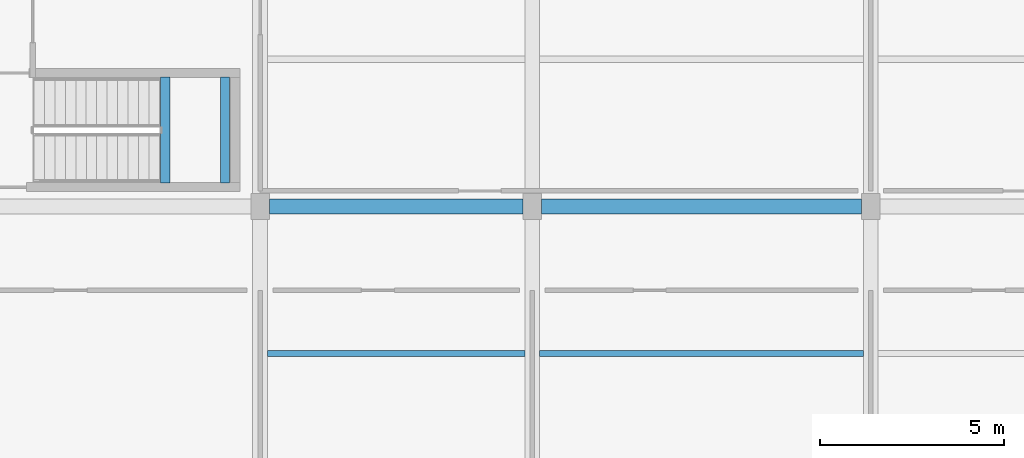
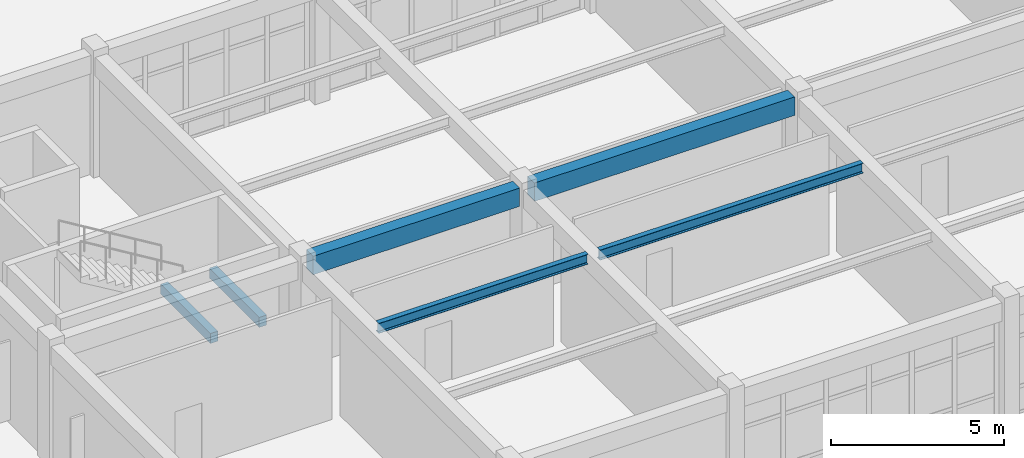
# One storey, part 32 of 154: 6 beams.
"""IFC4 building model written with IfcOpenShell, lengths in metres."""

import ifcopenshell
import ifcopenshell.guid

model = None  # the IFC model being written
_history = None  # IfcOwnerHistory: only IFC2X3 demands one
_inside = {}  # id of a spatial element -> (the spatial element, [elements in it])
_under = {}  # id of a project, library or spatial element -> (it, [spatial elements below it])
_declared = {}  # id of a project -> (the project, [libraries it declares])
_typed = {}  # id of a type object -> (the type object, [elements of that type])
_made_of = {}  # id of a material, layer set ... -> (it, [elements and type objects made of it])


def new_model(schema):
    """Start an empty IFC model of exactly this schema.

    Asked for "IFC4X3", IfcOpenShell would pick the latest addendum, in which some entities
    have other attributes; the version numbers below select the first issue.
    IFC2X3 requires an IfcOwnerHistory on every rooted entity: one is made here for all.
    """
    global model, _history
    if schema == "IFC4X3":
        model = ifcopenshell.file(schema_version=(4, 3, 0, 0))
    else:
        model = ifcopenshell.file(schema=schema)
    _inside.clear()
    _under.clear()
    _declared.clear()
    _typed.clear()
    _made_of.clear()
    _history = None
    if model.schema == "IFC2X3":
        org = make("IfcOrganization", Name="unknown")
        user = make(
            "IfcPersonAndOrganization",
            ThePerson=make("IfcPerson", FamilyName="unknown"),
            TheOrganization=org,
        )
        app = make(
            "IfcApplication",
            ApplicationDeveloper=org,
            Version="unknown",
            ApplicationFullName="unknown",
            ApplicationIdentifier="unknown",
        )
        _history = make(
            "IfcOwnerHistory",
            OwningUser=user,
            OwningApplication=app,
            ChangeAction="ADDED",
            CreationDate=0,
        )
    return model


def make(cls, **values):
    """One entity of the class cls with the attributes given. An attribute that is None is left unset."""
    return model.create_entity(
        cls, **{name: value for name, value in values.items() if value is not None}
    )


def rooted(cls, **values):
    """An entity with a GlobalId (a new one), such as an element, a storey or a relation."""
    return make(cls, GlobalId=ifcopenshell.guid.new(), OwnerHistory=_history, **values)


def si_unit(unit_type, name, prefix=None):
    """IfcSIUnit, for example si_unit("LENGTHUNIT", "METRE", prefix="MILLI")."""
    return make("IfcSIUnit", UnitType=unit_type, Prefix=prefix, Name=name)


def assignment(units):
    """IfcUnitAssignment: the units of a project."""
    return None if units is None else make("IfcUnitAssignment", Units=units)


def point(xyz):
    """IfcCartesianPoint."""
    return None if xyz is None else make("IfcCartesianPoint", Coordinates=xyz)


def direction(xyz):
    """IfcDirection."""
    return None if xyz is None else make("IfcDirection", DirectionRatios=xyz)


def frame(location, z_axis=None, x_axis=None):
    """IfcAxis2Placement3D, a coordinate frame: its origin and axes. An axis left out is left unset."""
    return make(
        "IfcAxis2Placement3D",
        Location=point(location),
        Axis=direction(z_axis),
        RefDirection=direction(x_axis),
    )


def frame_2d(location, x_axis=None):
    """IfcAxis2Placement2D, a coordinate frame in the plane: its origin and x axis."""
    return make(
        "IfcAxis2Placement2D", Location=point(location), RefDirection=direction(x_axis)
    )


def origin():
    """The frame at (0, 0, 0) with its axes left unset."""
    return frame((0.0, 0.0, 0.0))


def origin_2d():
    """The frame at (0, 0) in the plane with its x axis left unset."""
    return frame_2d((0.0, 0.0))


def place(relative_to, where):
    """IfcLocalPlacement: puts the frame where relative to a parent placement (None: the world)."""
    return make(
        "IfcLocalPlacement", PlacementRelTo=relative_to, RelativePlacement=where
    )


def context(
    kind, dimensions, precision=None, world=None, true_north=None, identifier=None
):
    """IfcGeometricRepresentationContext, for example the 3D "Model" context."""
    return make(
        "IfcGeometricRepresentationContext",
        ContextIdentifier=identifier,
        ContextType=kind,
        CoordinateSpaceDimension=dimensions,
        Precision=precision,
        WorldCoordinateSystem=world,
        TrueNorth=true_north,
    )


def subcontext(parent, identifier, kind, view, scale=None):
    """IfcGeometricRepresentationSubContext, for example "Body" below "Model"."""
    return make(
        "IfcGeometricRepresentationSubContext",
        ContextIdentifier=identifier,
        ContextType=kind,
        ParentContext=parent,
        TargetScale=scale,
        TargetView=view,
    )


def project(units=None, contexts=None):
    """IfcProject with its units and contexts."""
    return rooted(
        "IfcProject",
        Name="project",
        RepresentationContexts=contexts,
        UnitsInContext=assignment(units),
    )


def spatial(cls, under=None, at=None, **own):
    """A site, building, storey or space (cls), placed at a placement, below another one or the project."""
    s = rooted(cls, ObjectPlacement=at, **own)
    if under is not None:
        _under.setdefault(under.id(), (under, []))[1].append(s)
    return s


def profile(cls, at=None, kind="AREA", **sizes):
    """A parametric profile (cls). Its sizes go by their IFC names, for example OverallWidth=200.0."""
    return make(cls, ProfileType=kind, Position=at, **sizes)


def rectangle(**sizes):
    """IfcRectangleProfileDef."""
    return profile("IfcRectangleProfileDef", **sizes)


def i_section(**sizes):
    """IfcIShapeProfileDef."""
    return profile("IfcIShapeProfileDef", **sizes)


def extrude(swept, where, along, depth):
    """IfcExtrudedAreaSolid: the profile swept, set in the frame where, extruded along a direction by depth."""
    return make(
        "IfcExtrudedAreaSolid",
        SweptArea=swept,
        Position=where,
        ExtrudedDirection=direction(along),
        Depth=depth,
    )


def shape(context_of_items, identifier, shape_type, items):
    """IfcShapeRepresentation: the items that make up one representation, for example the "Body"."""
    return make(
        "IfcShapeRepresentation",
        ContextOfItems=context_of_items,
        RepresentationIdentifier=identifier,
        RepresentationType=shape_type,
        Items=items,
    )


def material(Name=None, Category=None):
    """IfcMaterial."""
    return make("IfcMaterial", Name=Name, Category=Category)


def material_profile(
    of_material, cross_section, Name=None, Category=None, Priority=None
):
    """IfcMaterialProfile: a cross section and its material."""
    return make(
        "IfcMaterialProfile",
        Name=Name,
        Material=of_material,
        Profile=cross_section,
        Priority=Priority,
        Category=Category,
    )


def profile_set(profiles, Name=None, composite=None):
    """IfcMaterialProfileSet."""
    return make(
        "IfcMaterialProfileSet",
        Name=Name,
        MaterialProfiles=profiles,
        CompositeProfile=composite,
    )


def made_of(thing, what):
    """Note that an element or type object is made of a material, layer set ...; save() writes the relation."""
    if what is not None:
        _made_of.setdefault(what.id(), (what, []))[1].append(thing)
    return thing


def type_object(cls, material=None, **own):
    """A type object (cls), such as IfcWallType, which elements share."""
    return made_of(rooted(cls, **own), material)


def element(
    cls,
    number,
    at=None,
    inside=None,
    cuts=None,
    type_object=None,
    material=None,
    context=None,
    identifier="Body",
    shape_type=None,
    held_by="IfcProductDefinitionShape",
    body=None,
    shapes=None,
    **own,
):
    """One element of the class cls, such as IfcWall. Its Tag is "e" and its number.

    at: its placement. inside: the storey or other place that contains it. cuts: it is an
    opening in that element (IfcRelVoidsElement). A single representation is given by context,
    identifier, shape_type and body (its items); several are given by shapes. held_by: the class
    of the entity that holds the representations. save() writes the other relations.
    """
    e = rooted(cls, Tag="e%d" % number, ObjectPlacement=at, **own)
    if body is not None:
        shapes = [shape(context, identifier, shape_type, body)]
    if shapes is not None:
        e.Representation = make(held_by, Representations=shapes)
    if inside is not None:
        _inside.setdefault(inside.id(), (inside, []))[1].append(e)
    if cuts is not None:
        rooted(
            "IfcRelVoidsElement", RelatingBuildingElement=cuts, RelatedOpeningElement=e
        )
    if type_object is not None:
        _typed.setdefault(type_object.id(), (type_object, []))[1].append(e)
    return made_of(e, material)


def aggregate(whole, parts):
    """IfcRelAggregates: a whole, such as a stair, and the parts it consists of."""
    return rooted("IfcRelAggregates", RelatingObject=whole, RelatedObjects=parts)


def save(model, path):
    """Write the relations noted so far, then the file.

    IfcRelAggregates (storeys below a building ...), IfcRelContainedInSpatialStructure (elements
    in a storey), IfcRelDefinesByType, IfcRelAssociatesMaterial and IfcRelDeclares: one each for
    every whole, place, type object, material and project.
    """
    for whole, parts in _under.values():
        aggregate(whole, parts)
    for where, things in _inside.values():
        rooted(
            "IfcRelContainedInSpatialStructure",
            RelatedElements=things,
            RelatingStructure=where,
        )
    for kind, things in _typed.values():
        rooted("IfcRelDefinesByType", RelatedObjects=things, RelatingType=kind)
    for what, things in _made_of.values():
        rooted("IfcRelAssociatesMaterial", RelatedObjects=things, RelatingMaterial=what)
    for by, libraries in _declared.values():
        rooted("IfcRelDeclares", RelatingContext=by, RelatedDefinitions=libraries)
    model.write(path)


model = new_model("IFC4")

# Units and contexts
model_context = context("Model", 3, precision=1e-05, world=origin(), true_north=direction((0.0, 1.0)))
body_context = subcontext(model_context, "Body", "Model", "MODEL_VIEW")
ifc_project = project(units=[si_unit("LENGTHUNIT", "METRE"), si_unit("AREAUNIT", "SQUARE_METRE"), si_unit("VOLUMEUNIT", "CUBIC_METRE"), si_unit("PLANEANGLEUNIT", "RADIAN"), si_unit("MASSUNIT", "GRAM", prefix="KILO")], contexts=[model_context])

# Site, building, storey
site_placement = place(None, origin())
site = spatial("IfcSite", under=ifc_project, at=site_placement, CompositionType="ELEMENT")
building_placement = place(site_placement, origin())
building = spatial("IfcBuilding", under=site, at=building_placement, Name="Kestramere Prow Commons", CompositionType="ELEMENT")
storey_placement = place(building_placement, origin())
storey = spatial("IfcBuildingStorey", under=building, at=storey_placement, Name="L00", CompositionType="ELEMENT", Elevation=0.0)

# Beams
ifc_material_1 = material(Name="Precast concrete C40/50", Category="concrete")
ifc_material_profile_1 = material_profile(ifc_material_1, rectangle(XDim=0.39990234375, YDim=0.64990234375, at=origin_2d()), Name="PC-BM 400x650")
ifc_profile_set_1 = profile_set([ifc_material_profile_1], Name="Precast concrete C40/50")
beam_type_1 = type_object("IfcBeamType", Name="BM-MK-01 PC-BM 400x650", PredefinedType="BEAM", material=ifc_profile_set_1)
beam_1_placement = place(storey_placement, frame((68.64990234375, 12.0, 3.925048828125), z_axis=(1.0, 0.0, 0.0), x_axis=(0.0, 1.0, 0.0)))
element("IfcBeam", 1, at=beam_1_placement, inside=storey, type_object=beam_type_1, Name="Market Spine L00 Beam X 2-2", PredefinedType="BEAM", context=body_context, shape_type="SweptSolid", body=[
    extrude(rectangle(XDim=0.39990234375, YDim=0.64990234375, at=origin_2d()), origin(), (0.0, 0.0, 1.0), 6.900146484375),
])
beam_2_placement = place(storey_placement, frame((76.050048828125, 12.0, 3.925048828125), z_axis=(1.0, 0.0, 0.0), x_axis=(0.0, 1.0, 0.0)))
element("IfcBeam", 2, at=beam_2_placement, inside=storey, type_object=beam_type_1, Name="Market Spine L00 Beam X 2-3", PredefinedType="BEAM", context=body_context, shape_type="SweptSolid", body=[
    extrude(rectangle(XDim=0.39990234375, YDim=0.64990234375, at=origin_2d()), origin(), (0.0, 0.0, 1.0), 8.699951171875),
])
ifc_material_2 = material(Name="Concrete C40/50", Category="concrete")
ifc_material_profile_2 = material_profile(ifc_material_2, rectangle(XDim=0.25, YDim=0.35009765625, at=origin_2d()), Name="PC-BM 250x350")
ifc_profile_set_2 = profile_set([ifc_material_profile_2], Name="Concrete C40/50")
beam_type_2 = type_object("IfcBeamType", Name="BM-ST-TRIM", PredefinedType="BEAM", material=ifc_profile_set_2)
for number, where, z_axis, x_axis, name in (
    (3, (65.820068359375, 12.6298828125, 1.875), (0.0, 1.0, 0.0), (-1.0, 0.0, 0.0), "ST-M1 L00 Landing Trimmer Beam 1A"),
    (4, (67.449951171875, 12.6298828125, 1.875), (0.0, 1.0, 0.0), (-1.0, 0.0, 0.0), "ST-M1 L00 Landing Trimmer Beam 1B"),
):
    element("IfcBeam", number, at=place(storey_placement, frame(where, z_axis=z_axis, x_axis=x_axis)), inside=storey, type_object=beam_type_2, Name=name, PredefinedType="BEAM", context=body_context, shape_type="SweptSolid", body=[
        extrude(rectangle(XDim=0.25, YDim=0.35009765625, at=origin_2d()), origin(), (0.0, 0.0, 1.0), 2.89013671875),
    ])
ifc_material_3 = material(Name="Steel S355JR", Category="steel")
ifc_material_profile_3 = material_profile(ifc_material_3, i_section(OverallWidth=0.17138671875, OverallDepth=0.35498046875, WebThickness=0.00732421875, FlangeThickness=0.011474609375, FilletRadius=0.01025390625, at=origin_2d()), Name="UB 356x171x51")
ifc_profile_set_3 = profile_set([ifc_material_profile_3], Name="Steel S355JR")
beam_type_3 = type_object("IfcBeamType", Name="JST-MK-01 UB 356x171x51", PredefinedType="JOIST", material=ifc_profile_set_3)
beam_3_placement = place(storey_placement, frame((68.60009765625, 8.0, 4.072509765625), z_axis=(1.0, 0.0, 0.0), x_axis=(0.0, 1.0, 0.0)))
element("IfcBeam", 5, at=beam_3_placement, inside=storey, type_object=beam_type_3, Name="Market Spine L00 Secondary Joist 2-8", PredefinedType="JOIST", context=body_context, shape_type="SweptSolid", body=[
    extrude(i_section(OverallWidth=0.17138671875, OverallDepth=0.35498046875, WebThickness=0.00732421875, FlangeThickness=0.011474609375, FilletRadius=0.01025390625, at=origin_2d()), origin(), (0.0, 0.0, 1.0), 7.0),
])
beam_4_placement = place(storey_placement, frame((76.0, 8.0, 4.072509765625), z_axis=(1.0, 0.0, 0.0), x_axis=(0.0, 1.0, 0.0)))
element("IfcBeam", 6, at=beam_4_placement, inside=storey, type_object=beam_type_3, Name="Market Spine L00 Secondary Joist 3-8", PredefinedType="JOIST", context=body_context, shape_type="SweptSolid", body=[
    extrude(i_section(OverallWidth=0.17138671875, OverallDepth=0.35498046875, WebThickness=0.00732421875, FlangeThickness=0.011474609375, FilletRadius=0.01025390625, at=origin_2d()), origin(), (0.0, 0.0, 1.0), 8.800048828125),
])

save(model, "model.ifc")
